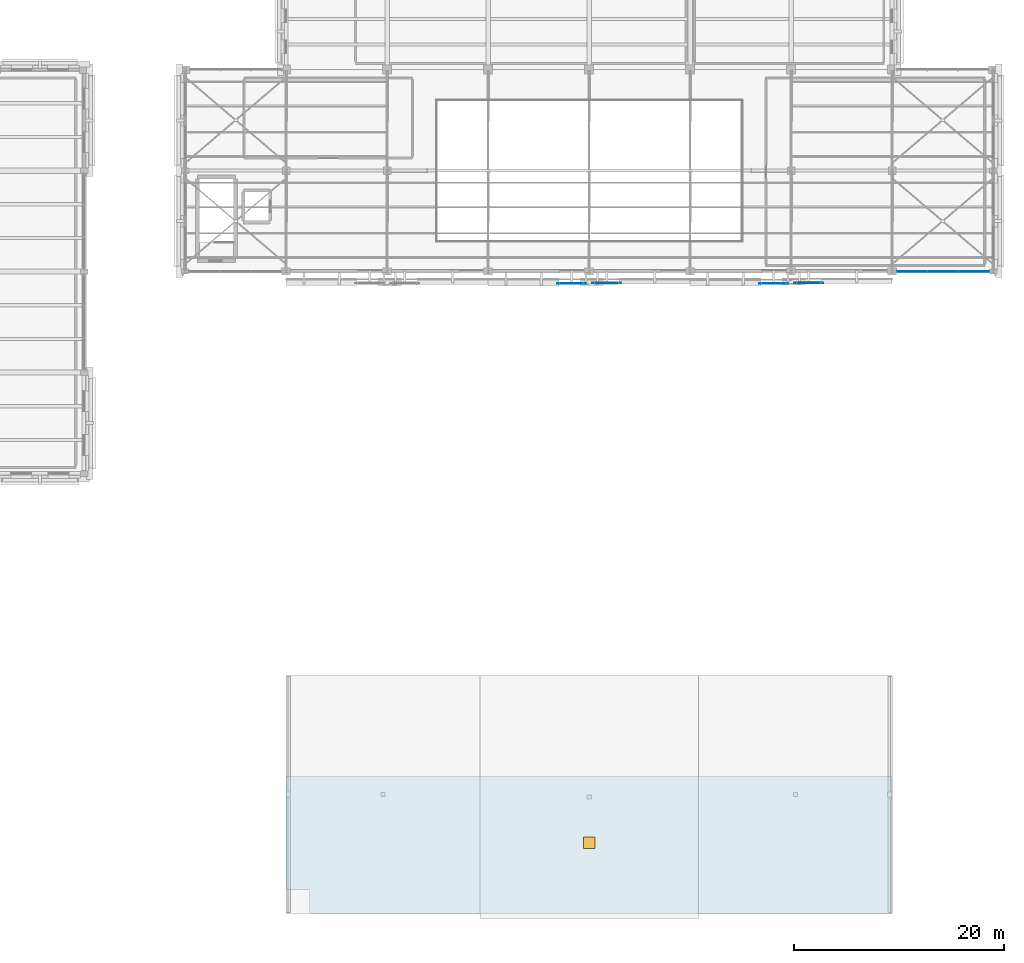
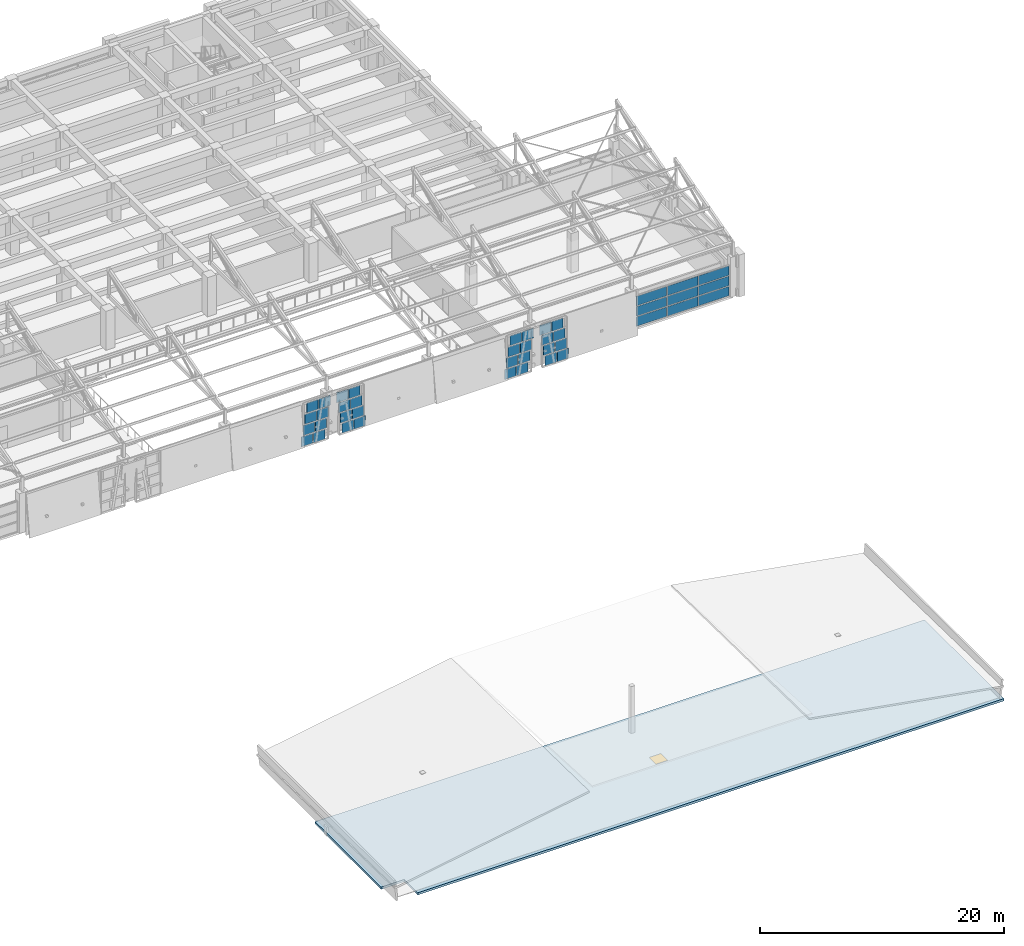
# One storey, part 36 of 58: 41 plates, 1 door, 1 slab, 1 opening, 5 elements without a shape of their own.
"""IFC4 building model written with IfcOpenShell, lengths in metres."""

from ifc_helpers import new_model, si_unit, direction, frame, origin, origin_2d, place, context, subcontext, project, spatial, polyline, rectangle, outline, extrude, material, layer, layer_set, type_object, element, fill, aggregate, save


model = new_model("IFC4")

# Units and contexts
model_context = context("Model", 3, precision=1e-05, world=origin(), true_north=direction((0.0, 1.0)))
body_context = subcontext(model_context, "Body", "Model", "MODEL_VIEW")
ifc_project = project(units=[si_unit("LENGTHUNIT", "METRE"), si_unit("AREAUNIT", "SQUARE_METRE"), si_unit("VOLUMEUNIT", "CUBIC_METRE"), si_unit("PLANEANGLEUNIT", "RADIAN"), si_unit("MASSUNIT", "GRAM", prefix="KILO")], contexts=[model_context])

# Site, building, storey
site_placement = place(None, origin())
site = spatial("IfcSite", under=ifc_project, at=site_placement, CompositionType="ELEMENT")
building_placement = place(site_placement, origin())
building = spatial("IfcBuilding", under=site, at=building_placement, Name="Bempovik Park Faculty of Sciences", CompositionType="ELEMENT")
storey_placement = place(building_placement, frame((0.0, 0.0, 18.300048828125)))
storey = spatial("IfcBuildingStorey", under=building, at=storey_placement, Name="L04", CompositionType="ELEMENT", Elevation=18.300048828125)

# Curtain wall, plates
ifc_material_1 = material(Name="Tempered laminated low-E glass", Category="glass")
ifc_layer_1 = layer(ifc_material_1, 0.159912109375)
ifc_layer_set_1 = layer_set([ifc_layer_1], Name="Tempered laminated low-E glass")
curtain_wall_type_1 = type_object("IfcCurtainWallType", Name="CW-41 Curtain 6600x3800", PredefinedType="USERDEFINED", material=ifc_layer_set_1)
curtain_wall_1_placement = place(storey_placement, origin())
curtain_wall_1 = element("IfcCurtainWall", 1, at=curtain_wall_1_placement, inside=storey, type_object=curtain_wall_type_1, Name="L04 Unitised Curtain Wall (67.8,117.6)", ObjectType="UNITISED CURTAIN WALL", PredefinedType="USERDEFINED")
ifc_layer_2 = layer(ifc_material_1, 0.033935546875)
ifc_layer_set_2 = layer_set([ifc_layer_2], Name="Tempered laminated low-E glass")
plate_type_1 = type_object("IfcPlateType", Name="CP-19 Curtain Panel 34mm", PredefinedType="CURTAIN_PANEL", material=ifc_layer_set_2)
plate_1_placement = place(storey_placement, frame((119.497314453125, 67.800048828125, 1.066650390625), z_axis=(0.0, 0.0, 1.0), x_axis=(1.0, 0.0, 0.0)))
plate_1 = element("IfcPlate", 2, at=plate_1_placement, type_object=plate_type_1, Name="CW-BAY-L04-678-1176 Panel 0-1", PredefinedType="CURTAIN_PANEL", context=body_context, shape_type="SweptSolid", body=[
    extrude(rectangle(XDim=2.8603515625, YDim=0.035888671875, at=origin_2d()), origin(), (0.0, 0.0, 1.0), 0.94677734375),
])
plate_2_placement = place(storey_placement, frame((119.497314453125, 67.800048828125, 2.09326171875), z_axis=(0.0, 0.0, 1.0), x_axis=(1.0, 0.0, 0.0)))
plate_2 = element("IfcPlate", 3, at=plate_2_placement, type_object=plate_type_1, Name="CW-BAY-L04-678-1176 Panel 0-2", PredefinedType="CURTAIN_PANEL", context=body_context, shape_type="SweptSolid", body=[
    extrude(rectangle(XDim=2.8603515625, YDim=0.035888671875, at=origin_2d()), origin(), (0.0, 0.0, 1.0), 0.94677734375),
])
plate_3_placement = place(storey_placement, frame((122.4375, 67.800048828125, 1.066650390625), z_axis=(0.0, 0.0, 1.0), x_axis=(1.0, 0.0, 0.0)))
plate_3 = element("IfcPlate", 4, at=plate_3_placement, type_object=plate_type_1, Name="CW-BAY-L04-678-1176 Panel 1-1", PredefinedType="CURTAIN_PANEL", context=body_context, shape_type="SweptSolid", body=[
    extrude(rectangle(XDim=2.8603515625, YDim=0.035888671875, at=origin_2d()), origin(), (0.0, 0.0, 1.0), 0.94677734375),
])
plate_4_placement = place(storey_placement, frame((122.4375, 67.800048828125, 2.09326171875), z_axis=(0.0, 0.0, 1.0), x_axis=(1.0, 0.0, 0.0)))
plate_4 = element("IfcPlate", 5, at=plate_4_placement, type_object=plate_type_1, Name="CW-BAY-L04-678-1176 Panel 1-2", PredefinedType="CURTAIN_PANEL", context=body_context, shape_type="SweptSolid", body=[
    extrude(rectangle(XDim=2.8603515625, YDim=0.035888671875, at=origin_2d()), origin(), (0.0, 0.0, 1.0), 0.94677734375),
])
plate_5_placement = place(storey_placement, frame((125.377685546875, 67.800048828125, 1.066650390625), z_axis=(0.0, 0.0, 1.0), x_axis=(1.0, 0.0, 0.0)))
plate_5 = element("IfcPlate", 6, at=plate_5_placement, type_object=plate_type_1, Name="CW-BAY-L04-678-1176 Panel 2-1", PredefinedType="CURTAIN_PANEL", context=body_context, shape_type="SweptSolid", body=[
    extrude(rectangle(XDim=2.8603515625, YDim=0.035888671875, at=origin_2d()), origin(), (0.0, 0.0, 1.0), 0.94677734375),
])
plate_6_placement = place(storey_placement, frame((125.377685546875, 67.800048828125, 2.09326171875), z_axis=(0.0, 0.0, 1.0), x_axis=(1.0, 0.0, 0.0)))
plate_6 = element("IfcPlate", 7, at=plate_6_placement, type_object=plate_type_1, Name="CW-BAY-L04-678-1176 Panel 2-2", PredefinedType="CURTAIN_PANEL", context=body_context, shape_type="SweptSolid", body=[
    extrude(rectangle(XDim=2.8603515625, YDim=0.035888671875, at=origin_2d()), origin(), (0.0, 0.0, 1.0), 0.94677734375),
])

ifc_layer_3 = layer(ifc_material_1, 0.159912109375)
ifc_layer_set_3 = layer_set([ifc_layer_3], Name="Tempered laminated low-E glass")
curtain_wall_type_2 = type_object("IfcCurtainWallType", Name="CW-33 Curtain 2400x4000", PredefinedType="USERDEFINED", material=ifc_layer_set_3)
curtain_wall_2_placement = place(storey_placement, origin())
curtain_wall_2 = element("IfcCurtainWall", 8, at=curtain_wall_2_placement, inside=storey, type_object=curtain_wall_type_2, Name="L04 Crystal Slantwise Light Fold (67.8,79.2)", ObjectType="UNITISED CURTAIN WALL", PredefinedType="USERDEFINED")
ifc_layer_4 = layer(ifc_material_1, 0.035888671875)
ifc_layer_set_4 = layer_set([ifc_layer_4], Name="Tempered laminated low-E glass")
plate_type_2 = type_object("IfcPlateType", Name="CP-22 Curtain Panel 36mm", PredefinedType="CURTAIN_PANEL", material=ifc_layer_set_4)
plate_7_placement = place(storey_placement, frame((86.29296875, 66.6748046875, 0.0), z_axis=(0.0, 0.0, 1.0), x_axis=(1.0, 0.0, 0.0)))
plate_7 = element("IfcPlate", 9, at=plate_7_placement, type_object=plate_type_2, Name="CW-FOLD-L04-678-792 Panel 0-0", PredefinedType="CURTAIN_PANEL", context=body_context, shape_type="SweptSolid", body=[
    extrude(rectangle(XDim=1.070068359375, YDim=0.035888671875, at=origin_2d()), origin(), (0.0, 0.0, 1.0), 0.989990234375),
])
plate_8_placement = place(storey_placement, frame((86.462890625, 66.6748046875, 1.06982421875), z_axis=(0.0, 0.0, 1.0), x_axis=(1.0, 0.0, 0.0)))
plate_8 = element("IfcPlate", 10, at=plate_8_placement, type_object=plate_type_2, Name="CW-FOLD-L04-678-792 Panel 0-1", PredefinedType="CURTAIN_PANEL", context=body_context, shape_type="SweptSolid", body=[
    extrude(rectangle(XDim=1.070068359375, YDim=0.035888671875, at=origin_2d()), origin(), (0.0, 0.0, 1.0), 0.989990234375),
])
plate_9_placement = place(storey_placement, frame((86.633056640625, 66.6748046875, 2.14013671875), z_axis=(0.0, 0.0, 1.0), x_axis=(1.0, 0.0, 0.0)))
plate_9 = element("IfcPlate", 11, at=plate_9_placement, type_object=plate_type_2, Name="CW-FOLD-L04-678-792 Panel 0-2", PredefinedType="CURTAIN_PANEL", context=body_context, shape_type="SweptSolid", body=[
    extrude(rectangle(XDim=1.070068359375, YDim=0.035888671875, at=origin_2d()), origin(), (0.0, 0.0, 1.0), 0.989990234375),
])
plate_10_placement = place(storey_placement, frame((86.802978515625, 66.6748046875, 3.2099609375), z_axis=(0.0, 0.0, 1.0), x_axis=(1.0, 0.0, 0.0)))
plate_10 = element("IfcPlate", 12, at=plate_10_placement, type_object=plate_type_2, Name="CW-FOLD-L04-678-792 Panel 0-3", PredefinedType="CURTAIN_PANEL", context=body_context, shape_type="SweptSolid", body=[
    extrude(rectangle(XDim=1.070068359375, YDim=0.035888671875, at=origin_2d()), origin(), (0.0, 0.0, 1.0), 0.989990234375),
])
plate_11_placement = place(storey_placement, frame((87.443115234375, 66.6748046875, 0.0), z_axis=(0.0, 0.0, 1.0), x_axis=(1.0, 0.0, 0.0)))
plate_11 = element("IfcPlate", 13, at=plate_11_placement, type_object=plate_type_2, Name="CW-FOLD-L04-678-792 Panel 1-0", PredefinedType="CURTAIN_PANEL", context=body_context, shape_type="SweptSolid", body=[
    extrude(rectangle(XDim=1.070068359375, YDim=0.035888671875, at=origin_2d()), origin(), (0.0, 0.0, 1.0), 0.989990234375),
])
plate_12_placement = place(storey_placement, frame((87.613037109375, 66.6748046875, 1.06982421875), z_axis=(0.0, 0.0, 1.0), x_axis=(1.0, 0.0, 0.0)))
plate_12 = element("IfcPlate", 14, at=plate_12_placement, type_object=plate_type_2, Name="CW-FOLD-L04-678-792 Panel 1-1", PredefinedType="CURTAIN_PANEL", context=body_context, shape_type="SweptSolid", body=[
    extrude(rectangle(XDim=1.070068359375, YDim=0.035888671875, at=origin_2d()), origin(), (0.0, 0.0, 1.0), 0.989990234375),
])
plate_13_placement = place(storey_placement, frame((87.782958984375, 66.6748046875, 2.14013671875), z_axis=(0.0, 0.0, 1.0), x_axis=(1.0, 0.0, 0.0)))
plate_13 = element("IfcPlate", 15, at=plate_13_placement, type_object=plate_type_2, Name="CW-FOLD-L04-678-792 Panel 1-2", PredefinedType="CURTAIN_PANEL", context=body_context, shape_type="SweptSolid", body=[
    extrude(rectangle(XDim=1.070068359375, YDim=0.035888671875, at=origin_2d()), origin(), (0.0, 0.0, 1.0), 0.989990234375),
])
plate_14_placement = place(storey_placement, frame((87.952880859375, 66.6748046875, 3.2099609375), z_axis=(0.0, 0.0, 1.0), x_axis=(1.0, 0.0, 0.0)))
plate_14 = element("IfcPlate", 16, at=plate_14_placement, type_object=plate_type_2, Name="CW-FOLD-L04-678-792 Panel 1-3", PredefinedType="CURTAIN_PANEL", context=body_context, shape_type="SweptSolid", body=[
    extrude(rectangle(XDim=1.070068359375, YDim=0.035888671875, at=origin_2d()), origin(), (0.0, 0.0, 1.0), 0.989990234375),
])
aggregate(curtain_wall_2, [plate_7, plate_8, plate_9, plate_10, plate_11, plate_12, plate_13, plate_14])

curtain_wall_3_placement = place(storey_placement, origin())
curtain_wall_3 = element("IfcCurtainWall", 17, at=curtain_wall_3_placement, inside=storey, type_object=curtain_wall_type_2, Name="L04 Crystal Slantwise Light Fold (67.8,88.8)", ObjectType="UNITISED CURTAIN WALL", PredefinedType="USERDEFINED")
plate_15_placement = place(storey_placement, frame((90.156982421875, 66.704345703125, 0.0), z_axis=(0.0, 0.0, 1.0), x_axis=(1.0, 0.0, 0.0)))
plate_15 = element("IfcPlate", 18, at=plate_15_placement, type_object=plate_type_2, Name="CW-FOLD-L04-678-888 Panel 0-0", PredefinedType="CURTAIN_PANEL", context=body_context, shape_type="SweptSolid", body=[
    extrude(rectangle(XDim=1.070068359375, YDim=0.035888671875, at=origin_2d()), origin(), (0.0, 0.0, 1.0), 0.989990234375),
])
plate_16_placement = place(storey_placement, frame((89.987060546875, 66.704345703125, 1.06982421875), z_axis=(0.0, 0.0, 1.0), x_axis=(1.0, 0.0, 0.0)))
plate_16 = element("IfcPlate", 19, at=plate_16_placement, type_object=plate_type_2, Name="CW-FOLD-L04-678-888 Panel 0-1", PredefinedType="CURTAIN_PANEL", context=body_context, shape_type="SweptSolid", body=[
    extrude(rectangle(XDim=1.070068359375, YDim=0.035888671875, at=origin_2d()), origin(), (0.0, 0.0, 1.0), 0.989990234375),
])
plate_17_placement = place(storey_placement, frame((89.81689453125, 66.704345703125, 2.14013671875), z_axis=(0.0, 0.0, 1.0), x_axis=(1.0, 0.0, 0.0)))
plate_17 = element("IfcPlate", 20, at=plate_17_placement, type_object=plate_type_2, Name="CW-FOLD-L04-678-888 Panel 0-2", PredefinedType="CURTAIN_PANEL", context=body_context, shape_type="SweptSolid", body=[
    extrude(rectangle(XDim=1.070068359375, YDim=0.035888671875, at=origin_2d()), origin(), (0.0, 0.0, 1.0), 0.989990234375),
])
plate_18_placement = place(storey_placement, frame((89.64697265625, 66.704345703125, 3.2099609375), z_axis=(0.0, 0.0, 1.0), x_axis=(1.0, 0.0, 0.0)))
plate_18 = element("IfcPlate", 21, at=plate_18_placement, type_object=plate_type_2, Name="CW-FOLD-L04-678-888 Panel 0-3", PredefinedType="CURTAIN_PANEL", context=body_context, shape_type="SweptSolid", body=[
    extrude(rectangle(XDim=1.070068359375, YDim=0.035888671875, at=origin_2d()), origin(), (0.0, 0.0, 1.0), 0.989990234375),
])
plate_19_placement = place(storey_placement, frame((91.306884765625, 66.704345703125, 0.0), z_axis=(0.0, 0.0, 1.0), x_axis=(1.0, 0.0, 0.0)))
plate_19 = element("IfcPlate", 22, at=plate_19_placement, type_object=plate_type_2, Name="CW-FOLD-L04-678-888 Panel 1-0", PredefinedType="CURTAIN_PANEL", context=body_context, shape_type="SweptSolid", body=[
    extrude(rectangle(XDim=1.070068359375, YDim=0.035888671875, at=origin_2d()), origin(), (0.0, 0.0, 1.0), 0.989990234375),
])
plate_20_placement = place(storey_placement, frame((91.136962890625, 66.704345703125, 1.06982421875), z_axis=(0.0, 0.0, 1.0), x_axis=(1.0, 0.0, 0.0)))
plate_20 = element("IfcPlate", 23, at=plate_20_placement, type_object=plate_type_2, Name="CW-FOLD-L04-678-888 Panel 1-1", PredefinedType="CURTAIN_PANEL", context=body_context, shape_type="SweptSolid", body=[
    extrude(rectangle(XDim=1.070068359375, YDim=0.035888671875, at=origin_2d()), origin(), (0.0, 0.0, 1.0), 0.989990234375),
])
plate_21_placement = place(storey_placement, frame((90.967041015625, 66.704345703125, 2.14013671875), z_axis=(0.0, 0.0, 1.0), x_axis=(1.0, 0.0, 0.0)))
plate_21 = element("IfcPlate", 24, at=plate_21_placement, type_object=plate_type_2, Name="CW-FOLD-L04-678-888 Panel 1-2", PredefinedType="CURTAIN_PANEL", context=body_context, shape_type="SweptSolid", body=[
    extrude(rectangle(XDim=1.070068359375, YDim=0.035888671875, at=origin_2d()), origin(), (0.0, 0.0, 1.0), 0.989990234375),
])
plate_22_placement = place(storey_placement, frame((90.797119140625, 66.704345703125, 3.2099609375), z_axis=(0.0, 0.0, 1.0), x_axis=(1.0, 0.0, 0.0)))
plate_22 = element("IfcPlate", 25, at=plate_22_placement, type_object=plate_type_2, Name="CW-FOLD-L04-678-888 Panel 1-3", PredefinedType="CURTAIN_PANEL", context=body_context, shape_type="SweptSolid", body=[
    extrude(rectangle(XDim=1.070068359375, YDim=0.035888671875, at=origin_2d()), origin(), (0.0, 0.0, 1.0), 0.989990234375),
])
aggregate(curtain_wall_3, [plate_15, plate_16, plate_17, plate_18, plate_19, plate_20, plate_21, plate_22])

curtain_wall_4_placement = place(storey_placement, origin())
curtain_wall_4 = element("IfcCurtainWall", 26, at=curtain_wall_4_placement, inside=storey, type_object=curtain_wall_type_2, Name="L04 Crystal Slantwise Light Fold (67.8,98.4)", ObjectType="UNITISED CURTAIN WALL", PredefinedType="USERDEFINED")
plate_23_placement = place(storey_placement, frame((105.492919921875, 66.66748046875, 0.0), z_axis=(0.0, 0.0, 1.0), x_axis=(1.0, 0.0, 0.0)))
plate_23 = element("IfcPlate", 27, at=plate_23_placement, type_object=plate_type_2, Name="CW-FOLD-L04-678-984 Panel 0-0", PredefinedType="CURTAIN_PANEL", context=body_context, shape_type="SweptSolid", body=[
    extrude(rectangle(XDim=1.070068359375, YDim=0.035888671875, at=origin_2d()), origin(), (0.0, 0.0, 1.0), 0.989990234375),
])
plate_24_placement = place(storey_placement, frame((105.6630859375, 66.66748046875, 1.06982421875), z_axis=(0.0, 0.0, 1.0), x_axis=(1.0, 0.0, 0.0)))
plate_24 = element("IfcPlate", 28, at=plate_24_placement, type_object=plate_type_2, Name="CW-FOLD-L04-678-984 Panel 0-1", PredefinedType="CURTAIN_PANEL", context=body_context, shape_type="SweptSolid", body=[
    extrude(rectangle(XDim=1.070068359375, YDim=0.035888671875, at=origin_2d()), origin(), (0.0, 0.0, 1.0), 0.989990234375),
])
plate_25_placement = place(storey_placement, frame((105.8330078125, 66.66748046875, 2.14013671875), z_axis=(0.0, 0.0, 1.0), x_axis=(1.0, 0.0, 0.0)))
plate_25 = element("IfcPlate", 29, at=plate_25_placement, type_object=plate_type_2, Name="CW-FOLD-L04-678-984 Panel 0-2", PredefinedType="CURTAIN_PANEL", context=body_context, shape_type="SweptSolid", body=[
    extrude(rectangle(XDim=1.070068359375, YDim=0.035888671875, at=origin_2d()), origin(), (0.0, 0.0, 1.0), 0.989990234375),
])
plate_26_placement = place(storey_placement, frame((106.0029296875, 66.66748046875, 3.2099609375), z_axis=(0.0, 0.0, 1.0), x_axis=(1.0, 0.0, 0.0)))
plate_26 = element("IfcPlate", 30, at=plate_26_placement, type_object=plate_type_2, Name="CW-FOLD-L04-678-984 Panel 0-3", PredefinedType="CURTAIN_PANEL", context=body_context, shape_type="SweptSolid", body=[
    extrude(rectangle(XDim=1.070068359375, YDim=0.035888671875, at=origin_2d()), origin(), (0.0, 0.0, 1.0), 0.989990234375),
])
plate_27_placement = place(storey_placement, frame((106.64306640625, 66.66748046875, 0.0), z_axis=(0.0, 0.0, 1.0), x_axis=(1.0, 0.0, 0.0)))
plate_27 = element("IfcPlate", 31, at=plate_27_placement, type_object=plate_type_2, Name="CW-FOLD-L04-678-984 Panel 1-0", PredefinedType="CURTAIN_PANEL", context=body_context, shape_type="SweptSolid", body=[
    extrude(rectangle(XDim=1.070068359375, YDim=0.035888671875, at=origin_2d()), origin(), (0.0, 0.0, 1.0), 0.989990234375),
])
plate_28_placement = place(storey_placement, frame((106.81298828125, 66.66748046875, 1.06982421875), z_axis=(0.0, 0.0, 1.0), x_axis=(1.0, 0.0, 0.0)))
plate_28 = element("IfcPlate", 32, at=plate_28_placement, type_object=plate_type_2, Name="CW-FOLD-L04-678-984 Panel 1-1", PredefinedType="CURTAIN_PANEL", context=body_context, shape_type="SweptSolid", body=[
    extrude(rectangle(XDim=1.070068359375, YDim=0.035888671875, at=origin_2d()), origin(), (0.0, 0.0, 1.0), 0.989990234375),
])
plate_29_placement = place(storey_placement, frame((106.98291015625, 66.66748046875, 2.14013671875), z_axis=(0.0, 0.0, 1.0), x_axis=(1.0, 0.0, 0.0)))
plate_29 = element("IfcPlate", 33, at=plate_29_placement, type_object=plate_type_2, Name="CW-FOLD-L04-678-984 Panel 1-2", PredefinedType="CURTAIN_PANEL", context=body_context, shape_type="SweptSolid", body=[
    extrude(rectangle(XDim=1.070068359375, YDim=0.035888671875, at=origin_2d()), origin(), (0.0, 0.0, 1.0), 0.989990234375),
])
plate_30_placement = place(storey_placement, frame((107.153076171875, 66.66748046875, 3.2099609375), z_axis=(0.0, 0.0, 1.0), x_axis=(1.0, 0.0, 0.0)))
plate_30 = element("IfcPlate", 34, at=plate_30_placement, type_object=plate_type_2, Name="CW-FOLD-L04-678-984 Panel 1-3", PredefinedType="CURTAIN_PANEL", context=body_context, shape_type="SweptSolid", body=[
    extrude(rectangle(XDim=1.070068359375, YDim=0.035888671875, at=origin_2d()), origin(), (0.0, 0.0, 1.0), 0.989990234375),
])
aggregate(curtain_wall_4, [plate_23, plate_24, plate_25, plate_26, plate_27, plate_28, plate_29, plate_30])

curtain_wall_5_placement = place(storey_placement, origin())
curtain_wall_5 = element("IfcCurtainWall", 35, at=curtain_wall_5_placement, inside=storey, type_object=curtain_wall_type_2, Name="L04 Crystal Slantwise Light Fold (67.8,108.0)", ObjectType="UNITISED CURTAIN WALL", PredefinedType="USERDEFINED")
plate_31_placement = place(storey_placement, frame((109.35693359375, 66.7265625, 0.0), z_axis=(0.0, 0.0, 1.0), x_axis=(1.0, 0.0, 0.0)))
plate_31 = element("IfcPlate", 36, at=plate_31_placement, type_object=plate_type_2, Name="CW-FOLD-L04-678-1080 Panel 0-0", PredefinedType="CURTAIN_PANEL", context=body_context, shape_type="SweptSolid", body=[
    extrude(rectangle(XDim=1.070068359375, YDim=0.035888671875, at=origin_2d()), origin(), (0.0, 0.0, 1.0), 0.989990234375),
])
plate_32_placement = place(storey_placement, frame((109.18701171875, 66.7265625, 1.06982421875), z_axis=(0.0, 0.0, 1.0), x_axis=(1.0, 0.0, 0.0)))
plate_32 = element("IfcPlate", 37, at=plate_32_placement, type_object=plate_type_2, Name="CW-FOLD-L04-678-1080 Panel 0-1", PredefinedType="CURTAIN_PANEL", context=body_context, shape_type="SweptSolid", body=[
    extrude(rectangle(XDim=1.070068359375, YDim=0.035888671875, at=origin_2d()), origin(), (0.0, 0.0, 1.0), 0.989990234375),
])
plate_33_placement = place(storey_placement, frame((109.01708984375, 66.7265625, 2.14013671875), z_axis=(0.0, 0.0, 1.0), x_axis=(1.0, 0.0, 0.0)))
plate_33 = element("IfcPlate", 38, at=plate_33_placement, type_object=plate_type_2, Name="CW-FOLD-L04-678-1080 Panel 0-2", PredefinedType="CURTAIN_PANEL", context=body_context, shape_type="SweptSolid", body=[
    extrude(rectangle(XDim=1.070068359375, YDim=0.035888671875, at=origin_2d()), origin(), (0.0, 0.0, 1.0), 0.989990234375),
])
plate_34_placement = place(storey_placement, frame((108.846923828125, 66.7265625, 3.2099609375), z_axis=(0.0, 0.0, 1.0), x_axis=(1.0, 0.0, 0.0)))
plate_34 = element("IfcPlate", 39, at=plate_34_placement, type_object=plate_type_2, Name="CW-FOLD-L04-678-1080 Panel 0-3", PredefinedType="CURTAIN_PANEL", context=body_context, shape_type="SweptSolid", body=[
    extrude(rectangle(XDim=1.070068359375, YDim=0.035888671875, at=origin_2d()), origin(), (0.0, 0.0, 1.0), 0.989990234375),
])
plate_35_placement = place(storey_placement, frame((110.507080078125, 66.7265625, 0.0), z_axis=(0.0, 0.0, 1.0), x_axis=(1.0, 0.0, 0.0)))
plate_35 = element("IfcPlate", 40, at=plate_35_placement, type_object=plate_type_2, Name="CW-FOLD-L04-678-1080 Panel 1-0", PredefinedType="CURTAIN_PANEL", context=body_context, shape_type="SweptSolid", body=[
    extrude(rectangle(XDim=1.070068359375, YDim=0.035888671875, at=origin_2d()), origin(), (0.0, 0.0, 1.0), 0.989990234375),
])
plate_36_placement = place(storey_placement, frame((110.3369140625, 66.7265625, 1.06982421875), z_axis=(0.0, 0.0, 1.0), x_axis=(1.0, 0.0, 0.0)))
plate_36 = element("IfcPlate", 41, at=plate_36_placement, type_object=plate_type_2, Name="CW-FOLD-L04-678-1080 Panel 1-1", PredefinedType="CURTAIN_PANEL", context=body_context, shape_type="SweptSolid", body=[
    extrude(rectangle(XDim=1.070068359375, YDim=0.035888671875, at=origin_2d()), origin(), (0.0, 0.0, 1.0), 0.989990234375),
])
plate_37_placement = place(storey_placement, frame((110.1669921875, 66.7265625, 2.14013671875), z_axis=(0.0, 0.0, 1.0), x_axis=(1.0, 0.0, 0.0)))
plate_37 = element("IfcPlate", 42, at=plate_37_placement, type_object=plate_type_2, Name="CW-FOLD-L04-678-1080 Panel 1-2", PredefinedType="CURTAIN_PANEL", context=body_context, shape_type="SweptSolid", body=[
    extrude(rectangle(XDim=1.070068359375, YDim=0.035888671875, at=origin_2d()), origin(), (0.0, 0.0, 1.0), 0.989990234375),
])
plate_38_placement = place(storey_placement, frame((109.9970703125, 66.7265625, 3.2099609375), z_axis=(0.0, 0.0, 1.0), x_axis=(1.0, 0.0, 0.0)))
plate_38 = element("IfcPlate", 43, at=plate_38_placement, type_object=plate_type_2, Name="CW-FOLD-L04-678-1080 Panel 1-3", PredefinedType="CURTAIN_PANEL", context=body_context, shape_type="SweptSolid", body=[
    extrude(rectangle(XDim=1.070068359375, YDim=0.035888671875, at=origin_2d()), origin(), (0.0, 0.0, 1.0), 0.989990234375),
])
aggregate(curtain_wall_5, [plate_31, plate_32, plate_33, plate_34, plate_35, plate_36, plate_37, plate_38])

# Plate
ifc_material_2 = material(Name="Anodised architectural bronze")
ifc_layer_5 = layer(ifc_material_2, 0.048095703125)
ifc_layer_set_5 = layer_set([ifc_layer_5], Name="Anodised architectural bronze")
plate_type_3 = type_object("IfcPlateType", Name="CP-24 Curtain Panel 48mm", PredefinedType="CURTAIN_PANEL", material=ifc_layer_set_5)
plate_39_placement = place(storey_placement, frame((119.497314453125, 67.800048828125, 0.039794921875), z_axis=(0.0, 0.0, 1.0), x_axis=(1.0, 0.0, 0.0)))
plate_39 = element("IfcPlate", 44, at=plate_39_placement, type_object=plate_type_3, Name="CW-BAY-L04-678-1176 Panel 0-0", PredefinedType="CURTAIN_PANEL", context=body_context, shape_type="SweptSolid", body=[
    extrude(rectangle(XDim=2.8603515625, YDim=0.035888671875, at=origin_2d()), origin(), (0.0, 0.0, 1.0), 0.94677734375),
])

plate_40_placement = place(storey_placement, frame((122.4375, 67.800048828125, 0.039794921875), z_axis=(0.0, 0.0, 1.0), x_axis=(1.0, 0.0, 0.0)))
plate_40 = element("IfcPlate", 45, at=plate_40_placement, type_object=plate_type_3, Name="CW-BAY-L04-678-1176 Panel 1-0", PredefinedType="CURTAIN_PANEL", context=body_context, shape_type="SweptSolid", body=[
    extrude(rectangle(XDim=2.8603515625, YDim=0.035888671875, at=origin_2d()), origin(), (0.0, 0.0, 1.0), 0.94677734375),
])

plate_41_placement = place(storey_placement, frame((125.377685546875, 67.800048828125, 0.039794921875), z_axis=(0.0, 0.0, 1.0), x_axis=(1.0, 0.0, 0.0)))
plate_41 = element("IfcPlate", 46, at=plate_41_placement, type_object=plate_type_3, Name="CW-BAY-L04-678-1176 Panel 2-0", PredefinedType="CURTAIN_PANEL", context=body_context, shape_type="SweptSolid", body=[
    extrude(rectangle(XDim=2.8603515625, YDim=0.035888671875, at=origin_2d()), origin(), (0.0, 0.0, 1.0), 0.94677734375),
])

aggregate(curtain_wall_1, [plate_39, plate_1, plate_2, plate_40, plate_3, plate_4, plate_41, plate_5, plate_6])

# Slab, opening, door
ifc_material_3 = material(Name="Concrete C35/45", Category="concrete")
ifc_layer_6 = layer(ifc_material_3, 0.219970703125)
ifc_layer_set_6 = layer_set([ifc_layer_6], Name="Concrete C35/45")
slab_type = type_object("IfcSlabType", Name="S-38 Slab 220mm", PredefinedType="ROOF", material=ifc_layer_set_6)
slab_placement = place(storey_placement, frame((0.0, 0.0, -0.219970703125)))
slab = element("IfcSlab", 47, at=slab_placement, inside=storey, type_object=slab_type, Name="Flat Concrete Roof Slab RF-V1-CANT", PredefinedType="ROOF", context=body_context, shape_type="SweptSolid", body=[
    extrude(outline(polyline([(62.199951171875, 6.800048828125), (117.60009765625, 6.800048828125), (117.60009765625, 19.800048828125), (60.0, 19.800048828125), (60.0, 9.0), (62.199951171875, 9.0), (62.199951171875, 6.800048828125)]), holes=[polyline([(88.2900390625, 12.989990234375), (89.31005859375, 12.989990234375), (89.31005859375, 14.010009765625), (88.2900390625, 14.010009765625), (88.2900390625, 12.989990234375)])]), origin(), (0.0, 0.0, 1.0), 0.219970703125),
])
opening_placement = place(slab_placement, frame((88.800048828125, 13.5, -0.010009765625)))
opening = element("IfcOpeningElement", 48, at=opening_placement, cuts=slab, Name="Opening RH-01", PredefinedType="OPENING", context=body_context, shape_type="SweptSolid", body=[
    extrude(rectangle(XDim=1.10009765625, YDim=1.10009765625, at=origin_2d()), origin(), (0.0, 0.0, 1.0), 0.239990234375),
])
ifc_material_4 = material(Name="Anodised aluminium", Category="aluminium")
door_type = type_object("IfcDoorType", Name="RH-01 Trapdoor 1100x1100", OperationType="NOTDEFINED", PredefinedType="TRAPDOOR", material=ifc_material_4)
door_placement = place(slab_placement, frame((88.800048828125, 13.5, 0.169921875)))
door = element("IfcDoor", 49, at=door_placement, inside=storey, type_object=door_type, Name="Roof Maintenance Access Hatch RH-V1-01", OperationType="SWING_FIXED_LEFT", OverallHeight=1.10009765625, OverallWidth=1.10009765625, PredefinedType="TRAPDOOR", context=body_context, shape_type="SweptSolid", body=[
    extrude(rectangle(XDim=1.10009765625, YDim=1.10009765625, at=origin_2d()), origin(), (0.0, 0.0, 1.0), 0.050048828125),
])
fill(opening, door)

save(model, "model.ifc")
